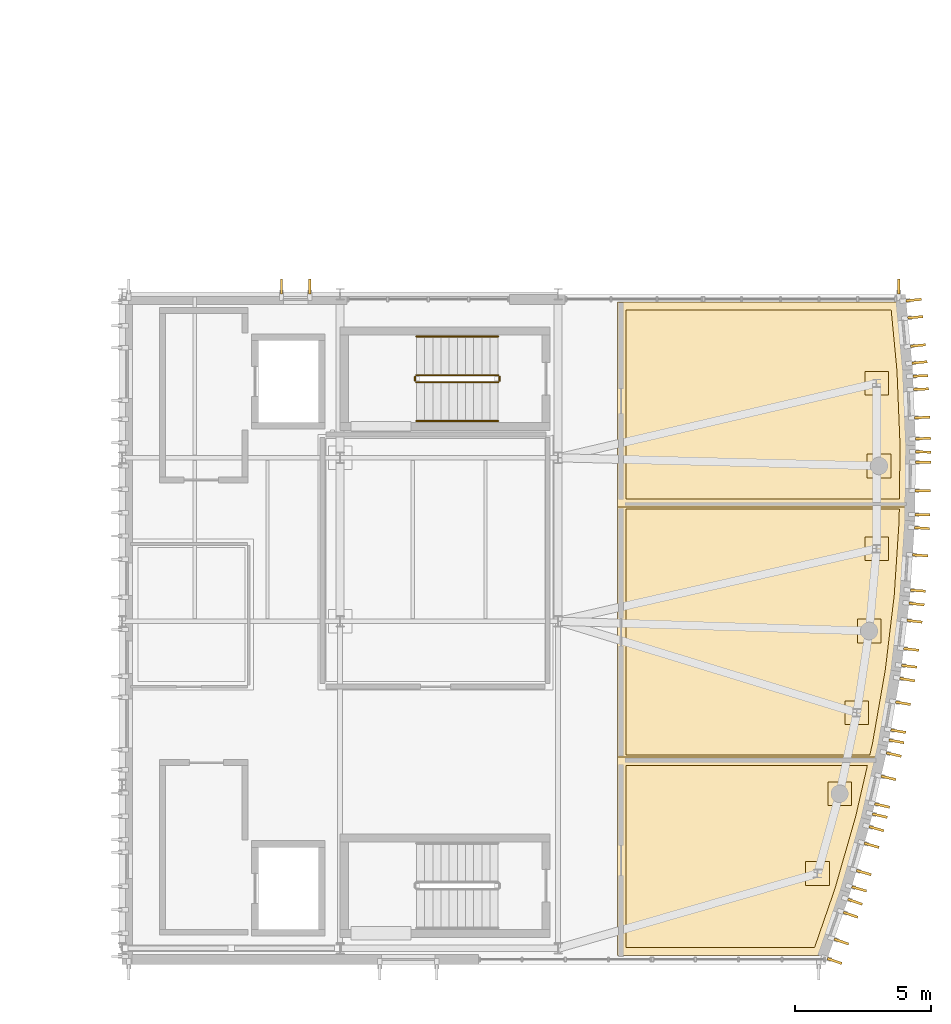
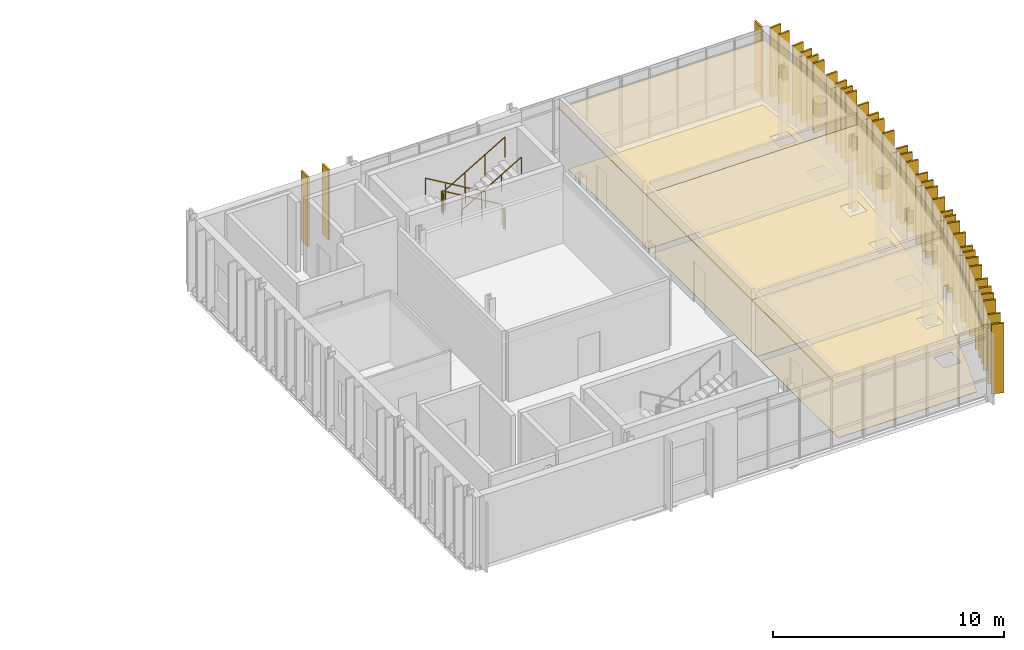
# One storey, part 14 of 14: 44 coverings, 6 railings.
"""IFC4 building model written with IfcOpenShell, lengths in metres."""

from ifc_helpers import new_model, si_unit, direction, frame, origin, origin_2d, place, context, subcontext, project, spatial, polyline, rectangle, circle, outline, extrude, material, layer, layer_set, type_object, element, save


model = new_model("IFC4")

# Units and contexts
model_context = context("Model", 3, precision=1e-05, world=origin(), true_north=direction((0.0, 1.0)))
body_context = subcontext(model_context, "Body", "Model", "MODEL_VIEW")
ifc_project = project(units=[si_unit("LENGTHUNIT", "METRE"), si_unit("AREAUNIT", "SQUARE_METRE"), si_unit("VOLUMEUNIT", "CUBIC_METRE"), si_unit("PLANEANGLEUNIT", "RADIAN"), si_unit("MASSUNIT", "GRAM", prefix="KILO")], contexts=[model_context])

# Site, building, storey
site_placement = place(None, origin())
site = spatial("IfcSite", under=ifc_project, at=site_placement, CompositionType="ELEMENT")
building_placement = place(site_placement, origin())
building = spatial("IfcBuilding", under=site, at=building_placement, Name="Cymarion Research Institute", CompositionType="ELEMENT")
storey_placement = place(building_placement, frame((0.0, 0.0, 34.5)))
storey = spatial("IfcBuildingStorey", under=building, at=storey_placement, Name="L08", CompositionType="ELEMENT", Elevation=34.5)

# Coverings
ifc_material_1 = material(Name="Micro-perforated mineral acoustic ceiling tile", Category="gypsum")
ifc_layer_1 = layer(ifc_material_1, 0.030029296875)
ifc_layer_set_1 = layer_set([ifc_layer_1], Name="Micro-perforated mineral acoustic ceiling tile")
covering_type_1 = type_object("IfcCoveringType", Name="ACOUSTIC MICRO-PERFORATED SUSPENDED CEILING CLG-01", PredefinedType="CEILING", material=ifc_layer_set_1)
covering_1_placement = place(storey_placement, frame((0.0, 0.0, 3.14990234375)))
element("IfcCovering", 1, at=covering_1_placement, inside=storey, type_object=covering_type_1, Name="L08 L08 Tower Wet Biochemistry & Proteomics Laboratory acoustic ceiling", PredefinedType="CEILING", context=body_context, shape_type="SweptSolid", body=[
    extrude(outline(polyline([(166.3251953125, 12.514892578125), (165.808349609375, 10.266845703125), (165.0458984375, 7.609619140625), (164.224853515625, 5.235107421875), (156.784912109375, 5.235107421875), (156.784912109375, 12.514892578125), (166.3251953125, 12.514892578125)])), origin(), (0.0, 0.0, 1.0), 0.030029296875),
])
covering_2_placement = place(storey_placement, frame((0.0, 0.0, 3.14990234375)))
element("IfcCovering", 2, at=covering_2_placement, inside=storey, type_object=covering_type_1, Name="L08 L08 Confocal Microscopy & Genomics Laboratory acoustic ceiling", PredefinedType="CEILING", context=body_context, shape_type="SweptSolid", body=[
    extrude(outline(polyline([(167.421142578125, 21.9150390625), (167.412109375, 21.18798828125), (167.23095703125, 18.429443359375), (166.902587890625, 15.6845703125), (166.427734375, 12.961181640625), (166.2724609375, 12.284912109375), (156.784912109375, 12.284912109375), (156.784912109375, 21.9150390625), (167.421142578125, 21.9150390625)])), origin(), (0.0, 0.0, 1.0), 0.030029296875),
])
covering_3_placement = place(storey_placement, frame((0.0, 0.0, 3.14990234375)))
element("IfcCovering", 3, at=covering_3_placement, inside=storey, type_object=covering_type_1, Name="L08 L08 Tower Staff Restrooms and Accessible Washroom acoustic ceiling", PredefinedType="CEILING", context=body_context, shape_type="SweptSolid", body=[
    extrude(outline(polyline([(167.44580078125, 23.952392578125), (167.418212890625, 21.68505859375), (156.784912109375, 21.68505859375), (156.784912109375, 29.22509765625), (167.093505859375, 29.22509765625), (167.331787109375, 26.714599609375), (167.44580078125, 23.952392578125)])), origin(), (0.0, 0.0, 1.0), 0.030029296875),
])
ifc_material_2 = material(Name="Precast concrete C45/55 architectural white", Category="concrete")
ifc_layer_2 = layer(ifc_material_2, 0.090087890625)
ifc_layer_set_2 = layer_set([ifc_layer_2], Name="Precast concrete C45/55 architectural white")
covering_type_2 = type_object("IfcCoveringType", Name="ARCHITECTURAL WHITE PRECAST CONCRETE VERTICAL FIN FIN1 560MM", PredefinedType="CLADDING", material=ifc_layer_set_2)
for number, where, z_axis, x_axis, name in (
    (4, (164.744873046875, 5.03466796875, 0.01025390625), (0.0, 0.0, 1.0), (0.945120113509, -0.326723080054, 0.0), "L08 V1 white precast vertical fin FIN1 #733"),
    (5, (164.991943359375, 5.748779296875, 0.01025390625), (0.0, 0.0, 1.0), (0.945120113509, -0.326723080054, 0.0), "L08 V1 white precast vertical fin FIN1 #734"),
    (6, (165.331787109375, 6.731689453125, 0.01025390625), (0.0, 0.0, 1.0), (0.945120113509, -0.326723080054, 0.0), "L08 V1 white precast vertical fin FIN1 #735"),
    (7, (165.496337890625, 7.20751953125, 0.01025390625), (0.0, 0.0, 1.0), (0.945120113509, -0.326723080054, 0.0), "L08 V1 white precast vertical fin FIN1 #736"),
    (8, (165.6455078125, 7.679443359375, 0.01025390625), (0.0, 0.0, 1.0), (0.961213573504, -0.275805123434, 0.0), "L08 V1 white precast vertical fin FIN1 #737"),
    (9, (165.817626953125, 8.279296875, 0.01025390625), (0.0, 0.0, 1.0), (0.961213573504, -0.275805123434, 0.0), "L08 V1 white precast vertical fin FIN1 #738"),
    (10, (166.1044921875, 9.279052734375, 0.01025390625), (0.0, 0.0, 1.0), (0.961213573504, -0.275805123434, 0.0), "L08 V1 white precast vertical fin FIN1 #739"),
    (11, (166.27978515625, 9.8896484375, 0.01025390625), (0.0, 0.0, 1.0), (0.961213573504, -0.275805123434, 0.0), "L08 V1 white precast vertical fin FIN1 #740"),
    (12, (166.4033203125, 10.368896484375, 0.01025390625), (0.0, 0.0, 1.0), (0.974566000575, -0.224100670509, 0.0), "L08 V1 white precast vertical fin FIN1 #741"),
    (13, (166.48876953125, 10.739990234375, 0.01025390625), (0.0, 0.0, 1.0), (0.974566000575, -0.224100670509, 0.0), "L08 V1 white precast vertical fin FIN1 #742"),
    (14, (166.7216796875, 11.753662109375, 0.01025390625), (0.0, 0.0, 1.0), (0.974566000575, -0.224100670509, 0.0), "L08 V1 white precast vertical fin FIN1 #743"),
    (15, (166.918701171875, 12.609619140625, 0.01025390625), (0.0, 0.0, 1.0), (0.974566000575, -0.224100670509, 0.0), "L08 V1 white precast vertical fin FIN1 #744"),
    (16, (167.0166015625, 13.094482421875, 0.01025390625), (0.0, 0.0, 1.0), (0.985139318439, -0.171757163649, 0.0), "L08 V1 white precast vertical fin FIN1 #745"),
    (17, (167.08154296875, 13.468017578125, 0.01025390625), (0.0, 0.0, 1.0), (0.985139318439, -0.171757163649, 0.0), "L08 V1 white precast vertical fin FIN1 #746"),
    (18, (167.26025390625, 14.492431640625, 0.01025390625), (0.0, 0.0, 1.0), (0.985139318439, -0.171757163649, 0.0), "L08 V1 white precast vertical fin FIN1 #747"),
    (19, (167.411376953125, 15.35986328125, 0.01025390625), (0.0, 0.0, 1.0), (0.985139318439, -0.171757163649, 0.0), "L08 V1 white precast vertical fin FIN1 #748"),
    (20, (167.483154296875, 15.849365234375, 0.01025390625), (0.0, 0.0, 1.0), (0.992924116831, -0.118750571435, 0.0), "L08 V1 white precast vertical fin FIN1 #749"),
    (21, (167.557373046875, 16.468994140625, 0.01025390625), (0.0, 0.0, 1.0), (0.992924116831, -0.118750571435, 0.0), "L08 V1 white precast vertical fin FIN1 #750"),
    (22, (167.680908203125, 17.501708984375, 0.01025390625), (0.0, 0.0, 1.0), (0.992924116831, -0.118750571435, 0.0), "L08 V1 white precast vertical fin FIN1 #751"),
    (23, (167.75634765625, 18.13232421875, 0.01025390625), (0.0, 0.0, 1.0), (0.992924116831, -0.118750571435, 0.0), "L08 V1 white precast vertical fin FIN1 #752"),
    (24, (167.802001953125, 18.625, 0.01025390625), (0.0, 0.0, 1.0), (0.997847493041, -0.06557728747, 0.0), "L08 V1 white precast vertical fin FIN1 #753"),
    (25, (167.88720703125, 19.919189453125, 0.01025390625), (0.0, 0.0, 1.0), (0.997847493041, -0.06557728747, 0.0), "L08 V1 white precast vertical fin FIN1 #754"),
    (26, (167.952880859375, 20.91943359375, 0.01025390625), (0.0, 0.0, 1.0), (0.997847493041, -0.06557728747, 0.0), "L08 V1 white precast vertical fin FIN1 #755"),
    (27, (167.971923828125, 21.413818359375, 0.01025390625), (0.0, 0.0, 1.0), (0.99992536966, -0.012217000835, 0.0), "L08 V1 white precast vertical fin FIN1 #756"),
    (28, (167.982666015625, 22.2939453125, 0.01025390625), (0.0, 0.0, 1.0), (0.99992536966, -0.012217000835, 0.0), "L08 V1 white precast vertical fin FIN1 #757"),
    (29, (167.995361328125, 23.333740234375, 0.01025390625), (0.0, 0.0, 1.0), (0.99992536966, -0.012217000835, 0.0), "L08 V1 white precast vertical fin FIN1 #758"),
    (30, (168.0, 23.712890625, 0.01025390625), (0.0, 0.0, 1.0), (0.99992536966, -0.012217000835, 0.0), "L08 V1 white precast vertical fin FIN1 #759"),
    (31, (167.992919921875, 24.207763671875, 0.01025390625), (0.0, 0.0, 1.0), (0.999144619181, 0.041352508522, 0.0), "L08 V1 white precast vertical fin FIN1 #760"),
    (32, (167.9609375, 24.978271484375, 0.01025390625), (0.0, 0.0, 1.0), (0.999144619181, 0.041352508522, 0.0), "L08 V1 white precast vertical fin FIN1 #761"),
    (33, (167.918212890625, 26.017333984375, 0.01025390625), (0.0, 0.0, 1.0), (0.999144619181, 0.041352508522, 0.0), "L08 V1 white precast vertical fin FIN1 #762"),
    (34, (167.89794921875, 26.505126953125, 0.01025390625), (0.0, 0.0, 1.0), (0.999144619181, 0.041352508522, 0.0), "L08 V1 white precast vertical fin FIN1 #763"),
    (35, (167.8642578125, 26.998779296875, 0.01025390625), (0.0, 0.0, 1.0), (0.995512553138, 0.09462957542, 0.0), "L08 V1 white precast vertical fin FIN1 #764"),
    (36, (167.805419921875, 27.6201171875, 0.01025390625), (0.0, 0.0, 1.0), (0.995512553138, 0.09462957542, 0.0), "L08 V1 white precast vertical fin FIN1 #765"),
    (37, (167.70703125, 28.6552734375, 0.01025390625), (0.0, 0.0, 1.0), (0.995512553138, 0.09462957542, 0.0), "L08 V1 white precast vertical fin FIN1 #766"),
    (38, (167.64697265625, 29.287841796875, 0.01025390625), (0.0, 0.0, 1.0), (0.995512553138, 0.09462957542, 0.0), "L08 V1 white precast vertical fin FIN1 #767"),
    (39, (167.103515625, 29.781982421875, 0.01025390625), (0.0, 0.0, 1.0), (0.0, 1.0, 0.0), "L08 V1 white precast vertical fin FIN1 #768"),
    (40, (145.489013671875, 29.781982421875, 0.01025390625), (0.0, 0.0, 1.0), (0.0, 1.0, 0.0), "L08 V1 white precast vertical fin FIN1 #769"),
    (41, (144.448974609375, 29.781982421875, 0.01025390625), (0.0, 0.0, 1.0), (0.0, 1.0, 0.0), "L08 V1 white precast vertical fin FIN1 #770"),
):
    element("IfcCovering", number, at=place(storey_placement, frame(where, z_axis=z_axis, x_axis=x_axis)), inside=storey, type_object=covering_type_2, Name=name, PredefinedType="CLADDING", context=body_context, shape_type="SweptSolid", body=[
        extrude(rectangle(XDim=0.56005859375, YDim=0.090087890625, at=origin_2d()), origin(), (0.0, 0.0, 1.0), 3.679931640625),
    ])

# Railings
ifc_material_3 = material(Name="Steel S355", Category="steel")
railing_type_1 = type_object("IfcRailingType", Name="PAINTED STEEL STAIR GUARDRAIL GR1 1100MM", PredefinedType="GUARDRAIL", material=ifc_material_3)
railing_1_placement = place(storey_placement, frame((152.39990234375, 26.530029296875, 0.17724609375)))
element("IfcRailing", 42, at=railing_1_placement, inside=storey, type_object=railing_type_1, Name="L08 ST2 stair guard 1", PredefinedType="GUARDRAIL", context=body_context, shape_type="SweptSolid", body=[
    extrude(circle(Radius=0.02392578125, at=origin_2d()), frame((0.0, 0.0, 1.076171875), z_axis=(-0.86092931783, 0.0, 0.508724591208), x_axis=(0.0, -1.0, 0.0)), (0.0, 0.0, 1.0), 3.484619140625),
    extrude(circle(Radius=0.02099609375, at=origin_2d()), origin(), (0.0, 0.0, 1.0), 1.052001953125),
    extrude(circle(Radius=0.02099609375, at=origin_2d()), frame((-1.0, 0.0, 0.5908203125)), (0.0, 0.0, 1.0), 1.052001953125),
    extrude(circle(Radius=0.02099609375, at=origin_2d()), frame((-2.0, 0.0, 1.181884765625)), (0.0, 0.0, 1.0), 1.052001953125),
    extrude(circle(Radius=0.02099609375, at=origin_2d()), frame((-3.0, 0.0, 1.772705078125)), (0.0, 0.0, 1.0), 1.052001953125),
])
railing_2_placement = place(storey_placement, frame((149.35009765625, 26.47998046875, 1.949951171875)))
element("IfcRailing", 43, at=railing_2_placement, inside=storey, type_object=railing_type_1, Name="L08 ST2 stair guard 2", PredefinedType="GUARDRAIL", context=body_context, shape_type="SweptSolid", body=[
    extrude(circle(Radius=0.02392578125, at=origin_2d()), frame((0.0, 0.0, 1.076171875), z_axis=(0.0, -1.0, 0.0), x_axis=(1.0, 0.0, 0.0)), (0.0, 0.0, 1.0), 0.159912109375),
    extrude(circle(Radius=0.02099609375, at=origin_2d()), origin(), (0.0, 0.0, 1.0), 1.052001953125),
    extrude(circle(Radius=0.02099609375, at=origin_2d()), frame((0.0, -0.159912109375, 0.0)), (0.0, 0.0, 1.0), 1.052001953125),
])
railing_3_placement = place(storey_placement, frame((149.39990234375, 26.27001953125, 2.127197265625)))
element("IfcRailing", 44, at=railing_3_placement, inside=storey, type_object=railing_type_1, Name="L08 ST2 stair guard 3", PredefinedType="GUARDRAIL", context=body_context, shape_type="SweptSolid", body=[
    extrude(circle(Radius=0.02392578125, at=origin_2d()), frame((0.0, 0.0, 1.076171875), z_axis=(0.86092931783, 0.0, 0.508724591208), x_axis=(0.0, 1.0, 0.0)), (0.0, 0.0, 1.0), 3.484619140625),
    extrude(circle(Radius=0.02099609375, at=origin_2d()), origin(), (0.0, 0.0, 1.0), 1.052001953125),
    extrude(circle(Radius=0.02099609375, at=origin_2d()), frame((1.0, 0.0, 0.5908203125)), (0.0, 0.0, 1.0), 1.052001953125),
    extrude(circle(Radius=0.02099609375, at=origin_2d()), frame((2.0, 0.0, 1.181884765625)), (0.0, 0.0, 1.0), 1.052001953125),
    extrude(circle(Radius=0.02099609375, at=origin_2d()), frame((3.0, 0.0, 1.772705078125)), (0.0, 0.0, 1.0), 1.052001953125),
])
railing_4_placement = place(storey_placement, frame((152.449951171875, 26.47998046875, 0.0)))
element("IfcRailing", 45, at=railing_4_placement, inside=storey, type_object=railing_type_1, Name="L08 ST2 stair guard 4", PredefinedType="GUARDRAIL", context=body_context, shape_type="SweptSolid", body=[
    extrude(circle(Radius=0.02392578125, at=origin_2d()), frame((0.0, 0.0, 1.076171875), z_axis=(0.0, -1.0, 0.0), x_axis=(1.0, 0.0, 0.0)), (0.0, 0.0, 1.0), 0.159912109375),
    extrude(circle(Radius=0.02099609375, at=origin_2d()), origin(), (0.0, 0.0, 1.0), 1.052001953125),
    extrude(circle(Radius=0.02099609375, at=origin_2d()), frame((0.0, -0.159912109375, 0.0)), (0.0, 0.0, 1.0), 1.052001953125),
])

# Coverings
ifc_material_4 = material(Name="Seamless dissipative epoxy resin flooring", Category="resin")
ifc_layer_3 = layer(ifc_material_4, 0.02001953125)
ifc_layer_set_3 = layer_set([ifc_layer_3], Name="Seamless dissipative epoxy resin flooring")
covering_type_3 = type_object("IfcCoveringType", Name="SEAMLESS ESD EPOXY LABORATORY FLOORING FLR-01", PredefinedType="FLOORING", material=ifc_layer_set_3)
covering_4_placement = place(storey_placement, origin())
element("IfcCovering", 46, at=covering_4_placement, inside=storey, type_object=covering_type_3, Name="L08 L08 Tower Wet Biochemistry & Proteomics Laboratory ESD epoxy flooring", PredefinedType="FLOORING", context=body_context, shape_type="SweptSolid", body=[
    extrude(outline(polyline([(157.0849609375, 12.215087890625), (165.948486328125, 12.215087890625), (165.517822265625, 10.341796875), (164.759765625, 7.699951171875), (164.01123046875, 5.534912109375), (157.0849609375, 5.534912109375), (157.0849609375, 12.215087890625)]), holes=[polyline([(165.36279296875, 10.73779296875), (165.36279296875, 11.607666015625), (164.492919921875, 11.607666015625), (164.492919921875, 10.73779296875), (165.36279296875, 10.73779296875)]), polyline([(164.553955078125, 7.81201171875), (164.553955078125, 8.681884765625), (163.68408203125, 8.681884765625), (163.68408203125, 7.81201171875), (164.553955078125, 7.81201171875)])]), origin(), (0.0, 0.0, 1.0), 0.02001953125),
])
covering_5_placement = place(storey_placement, origin())
element("IfcCovering", 47, at=covering_5_placement, inside=storey, type_object=covering_type_3, Name="L08 L08 Confocal Microscopy & Genomics Laboratory ESD epoxy flooring", PredefinedType="FLOORING", context=body_context, shape_type="SweptSolid", body=[
    extrude(outline(polyline([(157.0849609375, 21.614990234375), (167.117431640625, 21.614990234375), (167.1123046875, 21.19970703125), (166.93212890625, 18.45703125), (166.605712890625, 15.728271484375), (166.1337890625, 13.0205078125), (166.03369140625, 12.5849609375), (157.0849609375, 12.5849609375), (157.0849609375, 21.614990234375)]), holes=[polyline([(166.720458984375, 19.73095703125), (166.720458984375, 20.60107421875), (165.8505859375, 20.60107421875), (165.8505859375, 19.73095703125), (166.720458984375, 19.73095703125)]), polyline([(166.447998046875, 16.707763671875), (166.447998046875, 17.577880859375), (165.577880859375, 17.577880859375), (165.577880859375, 16.707763671875), (166.447998046875, 16.707763671875)]), polyline([(165.994873046875, 13.70654296875), (165.994873046875, 14.576416015625), (165.125, 14.576416015625), (165.125, 13.70654296875), (165.994873046875, 13.70654296875)])]), origin(), (0.0, 0.0, 1.0), 0.02001953125),
])
covering_6_placement = place(storey_placement, origin())
element("IfcCovering", 48, at=covering_6_placement, inside=storey, type_object=covering_type_3, Name="L08 L08 Tower Staff Restrooms and Accessible Washroom ESD epoxy flooring", PredefinedType="FLOORING", context=body_context, shape_type="SweptSolid", body=[
    extrude(outline(polyline([(167.032470703125, 26.694091796875), (167.14599609375, 23.947998046875), (167.121826171875, 21.985107421875), (157.0849609375, 21.985107421875), (157.0849609375, 28.925048828125), (166.820556640625, 28.925048828125), (167.032470703125, 26.694091796875)]), holes=[polyline([(166.8115234375, 22.764892578125), (166.8115234375, 23.635009765625), (165.94140625, 23.635009765625), (165.94140625, 22.764892578125), (166.8115234375, 22.764892578125)]), polyline([(166.720458984375, 25.799072265625), (166.720458984375, 26.6689453125), (165.8505859375, 26.6689453125), (165.8505859375, 25.799072265625), (166.720458984375, 25.799072265625)])]), origin(), (0.0, 0.0, 1.0), 0.02001953125),
])

# Railings
railing_type_2 = type_object("IfcRailingType", Name="STAINLESS STEEL STAIR HANDRAIL HR1 900MM", PredefinedType="HANDRAIL", material=ifc_material_3)
railing_5_placement = place(storey_placement, frame((152.39990234375, 27.949951171875, 0.17724609375)))
element("IfcRailing", 49, at=railing_5_placement, inside=storey, type_object=railing_type_2, Name="L08 ST2 stair handrail 1", PredefinedType="HANDRAIL", context=body_context, shape_type="SweptSolid", body=[
    extrude(circle(Radius=0.02392578125, at=origin_2d()), frame((0.0, 0.0, 0.8759765625), z_axis=(-0.86092931783, 0.0, 0.508724591208), x_axis=(0.0, -1.0, 0.0)), (0.0, 0.0, 1.0), 3.484619140625),
    extrude(circle(Radius=0.02099609375, at=origin_2d()), origin(), (0.0, 0.0, 1.0), 0.851806640625),
    extrude(circle(Radius=0.02099609375, at=origin_2d()), frame((-1.0, 0.0, 0.5908203125)), (0.0, 0.0, 1.0), 0.851806640625),
    extrude(circle(Radius=0.02099609375, at=origin_2d()), frame((-2.0, 0.0, 1.181884765625)), (0.0, 0.0, 1.0), 0.851806640625),
    extrude(circle(Radius=0.02099609375, at=origin_2d()), frame((-3.0, 0.0, 1.772705078125)), (0.0, 0.0, 1.0), 0.851806640625),
])
railing_6_placement = place(storey_placement, frame((149.39990234375, 24.85009765625, 2.127197265625)))
element("IfcRailing", 50, at=railing_6_placement, inside=storey, type_object=railing_type_2, Name="L08 ST2 stair handrail 2", PredefinedType="HANDRAIL", context=body_context, shape_type="SweptSolid", body=[
    extrude(circle(Radius=0.02392578125, at=origin_2d()), frame((0.0, 0.0, 0.8759765625), z_axis=(0.86092931783, 0.0, 0.508724591208), x_axis=(0.0, 1.0, 0.0)), (0.0, 0.0, 1.0), 3.484619140625),
    extrude(circle(Radius=0.02099609375, at=origin_2d()), origin(), (0.0, 0.0, 1.0), 0.851806640625),
    extrude(circle(Radius=0.02099609375, at=origin_2d()), frame((1.0, 0.0, 0.5908203125)), (0.0, 0.0, 1.0), 0.851806640625),
    extrude(circle(Radius=0.02099609375, at=origin_2d()), frame((2.0, 0.0, 1.181884765625)), (0.0, 0.0, 1.0), 0.851806640625),
    extrude(circle(Radius=0.02099609375, at=origin_2d()), frame((3.0, 0.0, 1.772705078125)), (0.0, 0.0, 1.0), 0.851806640625),
])

save(model, "model.ifc")
